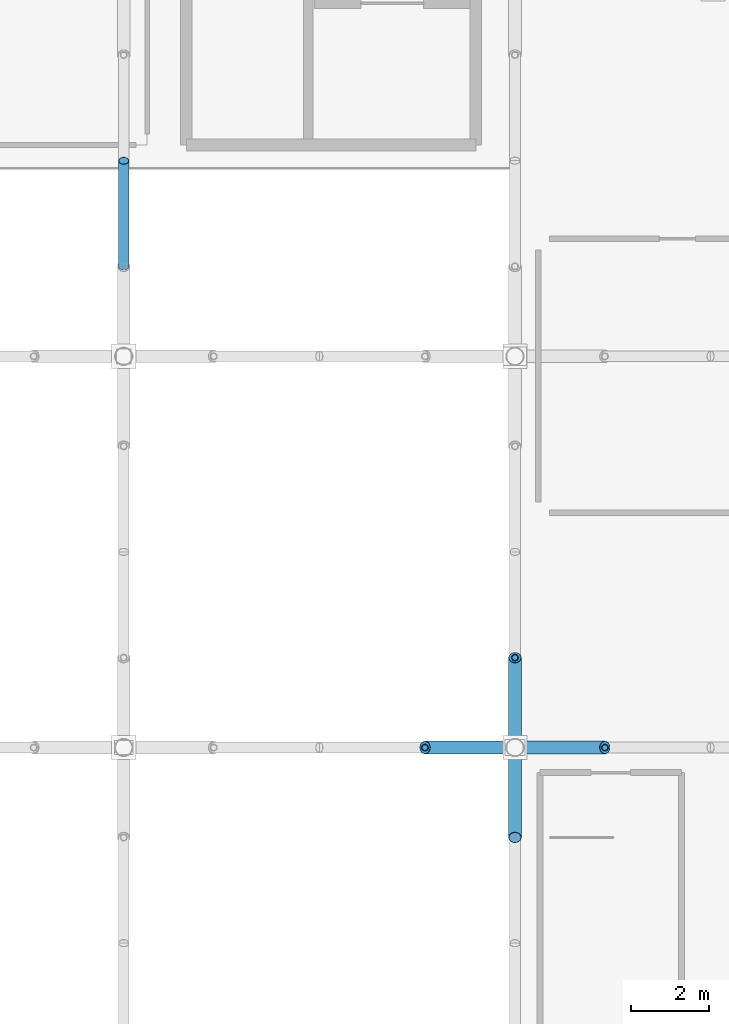
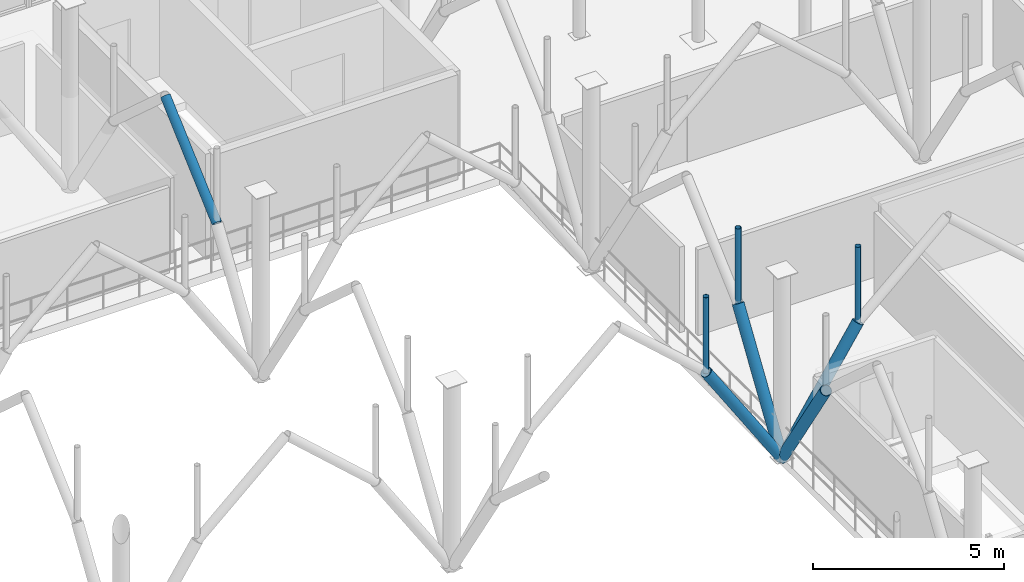
# One storey, part 73 of 109: 8 members.
"""IFC4 building model written with IfcOpenShell, lengths in metres."""

from ifc_helpers import new_model, si_unit, derived_unit, direction, frame, origin, origin_2d_with_axis, place, context, subcontext, project, spatial, hollow_circle, extrude, material, material_profile, profile_set, type_object, element, save


model = new_model("IFC4")

# Units and contexts
model_context = context("Model", 3, precision=1e-05, world=origin(), true_north=direction((0.0, 1.0)))
body_context = subcontext(model_context, "Body", "Model", "MODEL_VIEW")
ifc_project = project(units=[si_unit("LENGTHUNIT", "METRE"), si_unit("AREAUNIT", "SQUARE_METRE"), si_unit("VOLUMEUNIT", "CUBIC_METRE"), si_unit("PLANEANGLEUNIT", "RADIAN"), si_unit("MASSUNIT", "GRAM", prefix="KILO"), derived_unit("THERMALTRANSMITTANCEUNIT", [(si_unit("POWERUNIT", "WATT"), 1), (si_unit("LENGTHUNIT", "METRE"), -2), (si_unit("THERMODYNAMICTEMPERATUREUNIT", "KELVIN"), -1)])], contexts=[model_context])

# Site, building, storey
site_placement = place(None, origin())
site = spatial("IfcSite", under=ifc_project, at=site_placement, CompositionType="ELEMENT")
building_placement = place(site_placement, origin())
building = spatial("IfcBuilding", under=site, at=building_placement, Name="Cinnabar Yard Market Hall", CompositionType="ELEMENT")
storey_placement = place(building_placement, frame((0.0, 0.0, 8.39990234375)))
storey = spatial("IfcBuildingStorey", under=building, at=storey_placement, Name="L02", CompositionType="ELEMENT", Elevation=8.39990234375)

# Members
ifc_material_1 = material(Name="Spotted-gum glulam-clad steel Grade 350 (350 MPa)", Category="steel")
ifc_material_profile_1 = material_profile(ifc_material_1, hollow_circle(Radius=0.136474609375, WallThickness=0.00927734375, at=origin_2d_with_axis()), Name="273.1x9.3CHS")
ifc_profile_set_1 = profile_set([ifc_material_profile_1], Name="Spotted-gum glulam-clad steel Grade 350 (350 MPa)")
member_type_1 = type_object("IfcMemberType", Name="MB-AR01", PredefinedType="USERDEFINED", material=ifc_profile_set_1)
member_placement = place(storey_placement, frame((136.0, 56.300048828125, 3.550048828125), z_axis=(0.0, 0.743297488271, 0.668961018244), x_axis=(-1.0, 0.0, 0.0)))
element("IfcMember", 1, at=member_placement, inside=storey, type_object=member_type_1, Name="Pointed Arch Rib 0112", ObjectType="ARCH RIB", PredefinedType="USERDEFINED", context=body_context, shape_type="SweptSolid", body=[
    extrude(hollow_circle(Radius=0.136474609375, WallThickness=0.00927734375, at=origin_2d_with_axis()), origin(), (0.0, 0.0, 1.0), 3.63232421875),
])
ifc_material_profile_2 = material_profile(ifc_material_1, hollow_circle(Radius=0.161865234375, WallThickness=0.009521484375, at=origin_2d_with_axis()), Name="323.9x9.5CHS")
ifc_profile_set_2 = profile_set([ifc_material_profile_2], Name="Spotted-gum glulam-clad steel Grade 350 (350 MPa)")
member_type_2 = type_object("IfcMemberType", Name="MB-ST01", PredefinedType="STRUT", material=ifc_profile_set_2)
for number, where, z_axis, x_axis, name in (
    (2, (146.0, 44.0, 0.0), (0.543744165176, 0.0, 0.839251024925), (0.0, 1.0, 0.0), "Curved Branch Arm Lower 0122"),
    (3, (146.0, 44.0, 0.0), (-0.543744165176, 0.0, 0.839251024925), (0.0, -1.0, 0.0), "Curved Branch Arm Lower 0123"),
    (4, (146.0, 44.0, 0.0), (0.0, 0.543744165176, 0.839251024925), (-1.0, 0.0, 0.0), "Curved Branch Arm Lower 0124"),
    (5, (146.0, 44.0, 0.0), (0.0, -0.543744165176, 0.839251024925), (1.0, 0.0, 0.0), "Curved Branch Arm Lower 0125"),
):
    element("IfcMember", number, at=place(storey_placement, frame(where, z_axis=z_axis, x_axis=x_axis)), inside=storey, type_object=member_type_2, Name=name, PredefinedType="STRUT", context=body_context, shape_type="SweptSolid", body=[
        extrude(hollow_circle(Radius=0.161865234375, WallThickness=0.009521484375, at=origin_2d_with_axis()), origin(), (0.0, 0.0, 1.0), 4.22998046875),
    ])
ifc_material_2 = material(Name="Cold-formed steel C350L0", Category="steel")
ifc_material_profile_3 = material_profile(ifc_material_2, hollow_circle(Radius=0.084228515625, WallThickness=0.00634765625, at=origin_2d_with_axis()), Name="168.3x6.4CHS")
ifc_profile_set_3 = profile_set([ifc_material_profile_3], Name="Cold-formed steel C350L0")
member_type_3 = type_object("IfcMemberType", Name="MB-WB01", PredefinedType="STRUT", material=ifc_profile_set_3)
for number, where, z_axis, x_axis, name in (
    (6, (148.300048828125, 44.0, 3.550048828125), (0.0, 0.0, 1.0), (1.0, 0.0, 0.0), "Arch Spandrel Post 0122"),
    (7, (143.699951171875, 44.0, 3.550048828125), (0.0, 0.0, 1.0), (1.0, 0.0, 0.0), "Arch Spandrel Post 0123"),
    (8, (146.0, 46.300048828125, 3.550048828125), (0.0, 0.0, 1.0), (1.0, 0.0, 0.0), "Arch Spandrel Post 0124"),
):
    element("IfcMember", number, at=place(storey_placement, frame(where, z_axis=z_axis, x_axis=x_axis)), inside=storey, type_object=member_type_3, Name=name, PredefinedType="STRUT", context=body_context, shape_type="SweptSolid", body=[
        extrude(hollow_circle(Radius=0.084228515625, WallThickness=0.00634765625, at=origin_2d_with_axis()), origin(), (0.0, 0.0, 1.0), 2.429931640625),
    ])

save(model, "model.ifc")
